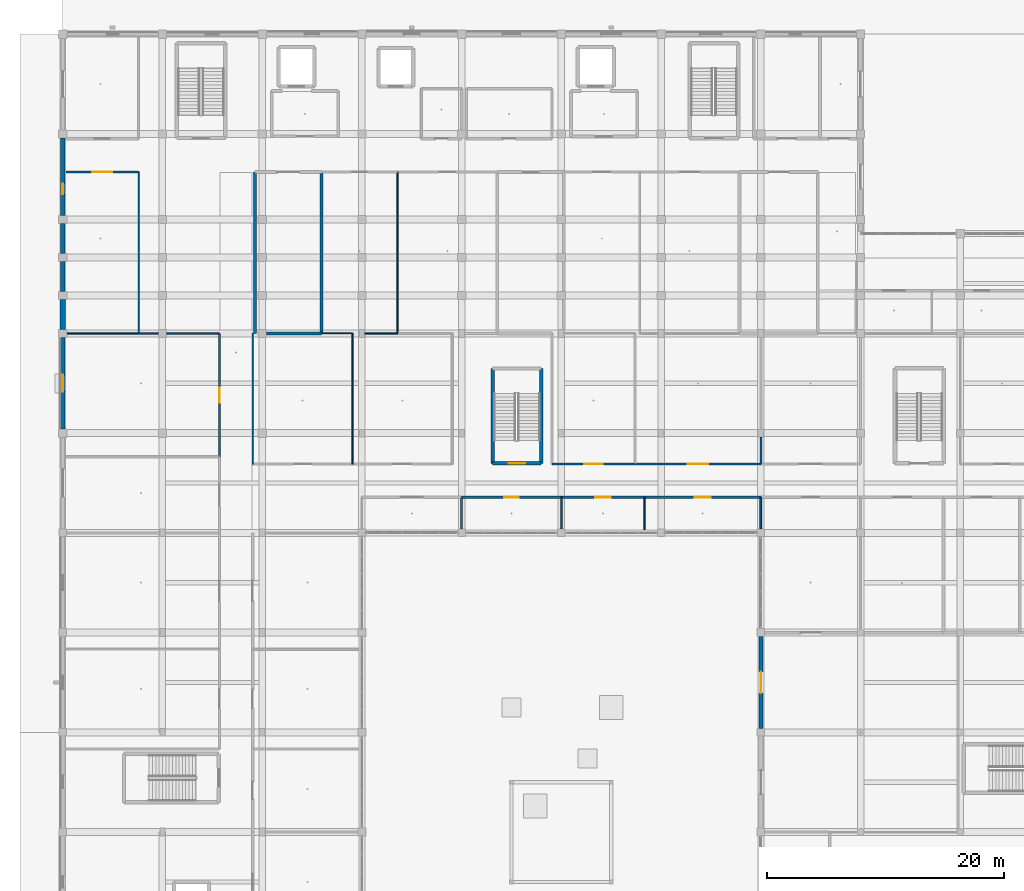
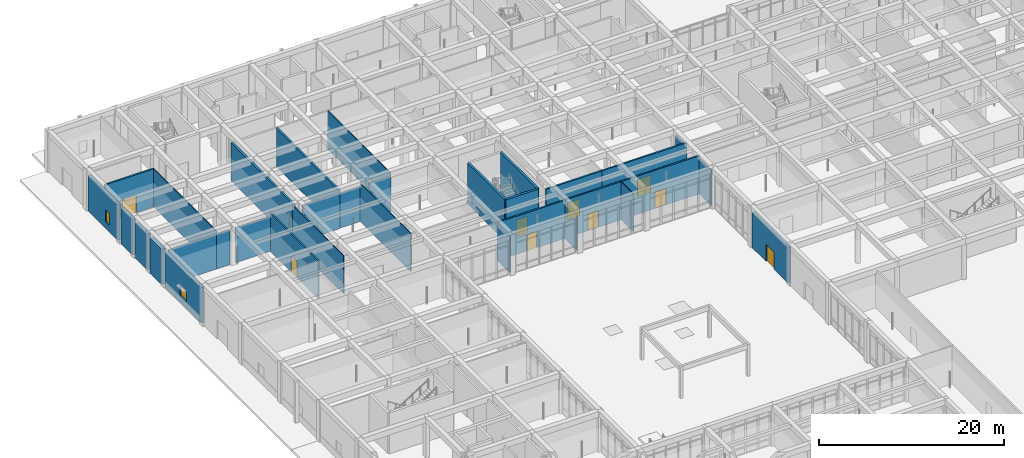
# One storey, part 66 of 167: 33 walls, 9 doors, 2 windows, 11 openings.
"""IFC4 building model written with IfcOpenShell, lengths in metres."""

from ifc_helpers import new_model, si_unit, direction, frame, frame_2d, origin, place, context, subcontext, project, spatial, rectangle, extrude, material, layer, layer_set, type_object, element, fill, save


model = new_model("IFC4")

# Units and contexts
model_context = context("Model", 3, precision=1e-05, world=origin(), true_north=direction((0.0, 1.0)))
body_context = subcontext(model_context, "Body", "Model", "MODEL_VIEW")
ifc_project = project(units=[si_unit("LENGTHUNIT", "METRE"), si_unit("AREAUNIT", "SQUARE_METRE"), si_unit("VOLUMEUNIT", "CUBIC_METRE"), si_unit("PLANEANGLEUNIT", "RADIAN"), si_unit("MASSUNIT", "GRAM", prefix="KILO")], contexts=[model_context])

# Site, building, storey
site_placement = place(None, origin())
site = spatial("IfcSite", under=ifc_project, at=site_placement, CompositionType="ELEMENT")
building_placement = place(site_placement, origin())
building = spatial("IfcBuilding", under=site, at=building_placement, Name="Varncliffe General Hospital", CompositionType="ELEMENT")
storey_placement = place(building_placement, origin())
storey = spatial("IfcBuildingStorey", under=building, at=storey_placement, Name="L00", CompositionType="ELEMENT", Elevation=0.0)

# Wall, opening, window
ifc_material_1 = material(Name="Precast concrete C40/50 with insulated cream lime-cement stucco", Category="concrete")
ifc_layer_1 = layer(ifc_material_1, 0.3798828125)
ifc_layer_set_1 = layer_set([ifc_layer_1], Name="Precast concrete C40/50 with insulated cream lime-cement stucco")
wall_type_1 = type_object("IfcWallType", Name="Exterior Insulated Stucco Wall EW26 (380mm)", PredefinedType="SOLIDWALL", material=ifc_layer_set_1)
wall_1_placement = place(storey_placement, frame((0.0, 91.548095703125, 0.0), z_axis=(0.0, 0.0, 1.0), x_axis=(0.0, 1.0, 0.0)))
wall_1 = element("IfcWall", 1, at=wall_1_placement, inside=storey, type_object=wall_type_1, Name="L00 Exterior Stucco Wall EW26-7", PredefinedType="SOLIDWALL", context=body_context, shape_type="SweptSolid", body=[
    extrude(rectangle(XDim=7.703857421875, YDim=0.3798828125, at=frame_2d((3.85205078125, 0.0))), origin(), (0.0, 0.0, 1.0), 4.679931640625),
])
opening_1_placement = place(wall_1_placement, frame((3.152099609375, 0.0, 0.89990234375)))
opening_1 = element("IfcOpeningElement", 2, at=opening_1_placement, cuts=wall_1, Name="Opening WN76", PredefinedType="OPENING", context=body_context, shape_type="SweptSolid", body=[
    extrude(rectangle(XDim=1.39990234375, YDim=1.39990234375, at=frame_2d((0.699951171875, 0.699951171875))), frame((0.0, 0.199951171875, 0.0), z_axis=(0.0, -1.0, 0.0), x_axis=(1.0, 0.0, 0.0)), (0.0, 0.0, 1.0), 0.39990234375),
])
ifc_material_2 = material(Name="Triple low-E argon insulated vision glazing", Category="glass")
window_type_1 = type_object("IfcWindowType", Name="Triple-Glazed Hospital Window WN76 (1400x1400)", PartitioningType="SINGLE_PANEL", PredefinedType="WINDOW", material=ifc_material_2)
window_1_placement = place(opening_1_placement, origin())
window_1 = element("IfcWindow", 3, at=window_1_placement, inside=storey, type_object=window_type_1, Name="L00 Hospital Window WN76-6", OverallHeight=1.39990234375, OverallWidth=1.39990234375, PartitioningType="SINGLE_PANEL", PredefinedType="WINDOW", context=body_context, shape_type="SweptSolid", body=[
    extrude(rectangle(XDim=1.39990234375, YDim=1.39990234375, at=frame_2d((0.699951171875, 0.699951171875))), frame((0.0, 0.030029296875, 0.0), z_axis=(0.0, -1.0, 0.0), x_axis=(1.0, 0.0, 0.0)), (0.0, 0.0, 1.0), 0.06005859375),
])
fill(opening_1, window_1)

# Walls
wall_2_placement = place(storey_placement, frame((0.0, 106.347900390625, 0.0), z_axis=(0.0, 0.0, 1.0), x_axis=(0.0, 1.0, 0.0)))
element("IfcWall", 4, at=wall_2_placement, inside=storey, type_object=wall_type_1, Name="L00 Exterior Stucco Wall EW26-10", PredefinedType="SOLIDWALL", context=body_context, shape_type="SweptSolid", body=[
    extrude(rectangle(XDim=2.504150390625, YDim=0.3798828125, at=frame_2d((1.251953125, 0.0))), origin(), (0.0, 0.0, 1.0), 4.679931640625),
])
ifc_material_3 = material(Name="Concrete C40/50 (CSA A23.1 40 MPa)", Category="concrete")
ifc_layer_2 = layer(ifc_material_3, 0.449951171875)
ifc_layer_set_2 = layer_set([ifc_layer_2], Name="Concrete C40/50 (CSA A23.1 40 MPa)")
wall_type_2 = type_object("IfcWallType", Name="Exterior Insulated Stucco Wall EW36 (450mm)", PredefinedType="SOLIDWALL", material=ifc_layer_set_2)
wall_3_placement = place(storey_placement, frame((0.0, 99.947998046875, 0.0), z_axis=(0.0, 0.0, 1.0), x_axis=(0.0, 1.0, 0.0)))
element("IfcWall", 5, at=wall_3_placement, inside=storey, type_object=wall_type_2, Name="L00 Exterior Stucco Wall EW36-8", PredefinedType="SOLIDWALL", context=body_context, shape_type="SweptSolid", body=[
    extrude(rectangle(XDim=2.50390625, YDim=0.449951171875, at=frame_2d((1.251953125, 0.0))), origin(), (0.0, 0.0, 1.0), 4.679931640625),
])

# Wall, opening, window
ifc_layer_3 = layer(ifc_material_1, 0.35009765625)
ifc_layer_set_3 = layer_set([ifc_layer_3], Name="Precast concrete C40/50 with insulated cream lime-cement stucco")
wall_type_3 = type_object("IfcWallType", Name="Exterior Insulated Stucco Wall EW37 (350mm)", PredefinedType="SOLIDWALL", material=ifc_layer_set_3)
wall_4_placement = place(storey_placement, frame((0.0, 109.548095703125, 0.0), z_axis=(0.0, 0.0, 1.0), x_axis=(0.0, 1.0, 0.0)))
wall_4 = element("IfcWall", 6, at=wall_4_placement, inside=storey, type_object=wall_type_3, Name="L00 Exterior Stucco Wall EW37-11", PredefinedType="SOLIDWALL", context=body_context, shape_type="SweptSolid", body=[
    extrude(rectangle(XDim=6.50390625, YDim=0.35009765625, at=frame_2d((3.251953125, 0.0))), origin(), (0.0, 0.0, 1.0), 4.679931640625),
])
opening_2_placement = place(wall_4_placement, frame((1.76708984375, 0.0, 0.89990234375)))
opening_2 = element("IfcOpeningElement", 7, at=opening_2_placement, cuts=wall_4, Name="Opening WN45", PredefinedType="OPENING", context=body_context, shape_type="SweptSolid", body=[
    extrude(rectangle(XDim=0.89990234375, YDim=1.550048828125, at=frame_2d((0.449951171875, 0.77490234375))), frame((0.0, 0.18505859375, 0.0), z_axis=(0.0, -1.0, 0.0), x_axis=(1.0, 0.0, 0.0)), (0.0, 0.0, 1.0), 0.3701171875),
])
window_type_2 = type_object("IfcWindowType", Name="Triple-Glazed Hospital Window WN45 (900x1550)", PartitioningType="SINGLE_PANEL", PredefinedType="WINDOW", material=ifc_material_2)
window_2_placement = place(opening_2_placement, origin())
window_2 = element("IfcWindow", 8, at=window_2_placement, inside=storey, type_object=window_type_2, Name="L00 Hospital Window WN45-7", OverallHeight=1.550048828125, OverallWidth=0.89990234375, PartitioningType="SINGLE_PANEL", PredefinedType="WINDOW", context=body_context, shape_type="SweptSolid", body=[
    extrude(rectangle(XDim=0.89990234375, YDim=1.550048828125, at=frame_2d((0.449951171875, 0.77490234375))), frame((0.0, 0.030029296875, 0.0), z_axis=(0.0, -1.0, 0.0), x_axis=(1.0, 0.0, 0.0)), (0.0, 0.0, 1.0), 0.06005859375),
])
fill(opening_2, window_2)

# Wall, opening, door
wall_5_placement = place(storey_placement, frame((58.800048828125, 66.322998046875, 0.0), z_axis=(0.0, 0.0, 1.0), x_axis=(0.0, 1.0, 0.0)))
wall_5 = element("IfcWall", 9, at=wall_5_placement, inside=storey, type_object=wall_type_3, Name="L00 Exterior Stucco Wall EW37-83", PredefinedType="SOLIDWALL", context=body_context, shape_type="SweptSolid", body=[
    extrude(rectangle(XDim=7.75390625, YDim=0.35009765625, at=frame_2d((3.876953125, 0.0))), origin(), (0.0, 0.0, 1.0), 4.679931640625),
])
opening_3_placement = place(wall_5_placement, frame((2.97705078125, 0.0, 0.0)))
opening_3 = element("IfcOpeningElement", 10, at=opening_3_placement, cuts=wall_5, Name="Opening DE28", PredefinedType="OPENING", context=body_context, shape_type="SweptSolid", body=[
    extrude(rectangle(XDim=1.800048828125, YDim=2.25, at=frame_2d((0.89990234375, 1.125))), frame((0.0, 0.18505859375, 0.0), z_axis=(0.0, -1.0, 0.0), x_axis=(1.0, 0.0, 0.0)), (0.0, 0.0, 1.0), 0.3701171875),
])
ifc_material_4 = material(Name="Thermally broken bronze-anodized aluminium and safety glass door", Category="aluminium")
door_type_1 = type_object("IfcDoorType", Name="Exterior Pedestrian Door DE28 (1800x2250)", OperationType="NOTDEFINED", PredefinedType="DOOR", material=ifc_material_4)
door_1_placement = place(opening_3_placement, origin())
door_1 = element("IfcDoor", 11, at=door_1_placement, inside=storey, type_object=door_type_1, Name="Main Pedestrian Entrance and Final Exit Door FE-29", OperationType="DOUBLE_DOOR_SINGLE_SWING", OverallHeight=2.25, OverallWidth=1.800048828125, PredefinedType="DOOR", context=body_context, shape_type="SweptSolid", body=[
    extrude(rectangle(XDim=1.800048828125, YDim=2.25, at=frame_2d((0.89990234375, 1.125))), frame((0.0, 0.02490234375, 0.0), z_axis=(0.0, -1.0, 0.0), x_axis=(1.0, 0.0, 0.0)), (0.0, 0.0, 1.0), 0.050048828125),
])
fill(opening_3, door_1)

# Walls
ifc_layer_4 = layer(ifc_material_1, 0.39990234375)
ifc_layer_set_4 = layer_set([ifc_layer_4], Name="Precast concrete C40/50 with insulated cream lime-cement stucco")
wall_type_4 = type_object("IfcWallType", Name="Exterior Insulated Stucco Wall EW47 (400mm)", PredefinedType="SOLIDWALL", material=ifc_layer_set_4)
wall_6_placement = place(storey_placement, frame((0.0, 103.14794921875, 0.0), z_axis=(0.0, 0.0, 1.0), x_axis=(0.0, 1.0, 0.0)))
element("IfcWall", 12, at=wall_6_placement, inside=storey, type_object=wall_type_4, Name="L00 Exterior Stucco Wall EW47-9", PredefinedType="SOLIDWALL", context=body_context, shape_type="SweptSolid", body=[
    extrude(rectangle(XDim=2.504150390625, YDim=0.39990234375, at=frame_2d((1.251953125, 0.0))), origin(), (0.0, 0.0, 1.0), 4.679931640625),
])
ifc_material_5 = material(Name="Acoustic clinical gypsum stud partition assembly", Category="gypsum")
ifc_layer_5 = layer(ifc_material_5, 0.1298828125)
ifc_layer_set_5 = layer_set([ifc_layer_5], Name="Acoustic clinical gypsum stud partition assembly")
wall_type_5 = type_object("IfcWallType", Name="Interior Partitioning IW11 (130mm)", PredefinedType="PARTITIONING", material=ifc_layer_set_5)
wall_7_placement = place(storey_placement, frame((8.764892578125, 99.60009765625, 0.0), z_axis=(0.0, 0.0, 1.0), x_axis=(1.0, 0.0, 0.0)))
element("IfcWall", 13, at=wall_7_placement, inside=storey, type_object=wall_type_5, Name="L00 Interior Partition Wall IW11-178", PredefinedType="PARTITIONING", context=body_context, shape_type="SweptSolid", body=[
    extrude(rectangle(XDim=4.43505859375, YDim=0.1298828125, at=frame_2d((2.217529296875, 0.0))), origin(), (0.0, 0.0, 1.0), 4.635009765625),
])
wall_8_placement = place(storey_placement, frame((6.39990234375, 99.60009765625, 0.0), z_axis=(0.0, 0.0, 1.0), x_axis=(1.0, 0.0, 0.0)))
element("IfcWall", 14, at=wall_8_placement, inside=storey, type_object=wall_type_5, Name="L00 Interior Partition Wall IW11-179", PredefinedType="PARTITIONING", context=body_context, shape_type="SweptSolid", body=[
    extrude(rectangle(XDim=1.635009765625, YDim=0.1298828125, at=frame_2d((0.8173828125, 0.0))), origin(), (0.0, 0.0, 1.0), 4.635009765625),
])
wall_9_placement = place(storey_placement, frame((42.0, 83.139892578125, 0.0), z_axis=(0.0, 0.0, 1.0), x_axis=(0.0, 1.0, 0.0)))
element("IfcWall", 15, at=wall_9_placement, inside=storey, type_object=wall_type_5, Name="L00 Interior Partition Wall IW11-303", PredefinedType="PARTITIONING", context=body_context, shape_type="SweptSolid", body=[
    extrude(rectangle(XDim=2.66015625, YDim=0.1298828125, at=frame_2d((1.330078125, 0.0))), origin(), (0.0, 0.0, 1.0), 4.68505859375),
])
ifc_layer_6 = layer(ifc_material_5, 0.169921875)
ifc_layer_set_6 = layer_set([ifc_layer_6], Name="Acoustic clinical gypsum stud partition assembly")
wall_type_6 = type_object("IfcWallType", Name="Interior Partitioning IW20 (170mm)", PredefinedType="PARTITIONING", material=ifc_layer_set_6)
wall_10_placement = place(storey_placement, frame((33.60009765625, 83.139892578125, 0.0), z_axis=(0.0, 0.0, 1.0), x_axis=(0.0, 1.0, 0.0)))
element("IfcWall", 16, at=wall_10_placement, inside=storey, type_object=wall_type_6, Name="L00 Interior Partition Wall IW20-295", PredefinedType="PARTITIONING", context=body_context, shape_type="SweptSolid", body=[
    extrude(rectangle(XDim=2.66015625, YDim=0.169921875, at=frame_2d((1.330078125, 0.0))), origin(), (0.0, 0.0, 1.0), 4.68505859375),
])
wall_11_placement = place(storey_placement, frame((58.800048828125, 88.60009765625, 0.0), z_axis=(0.0, 0.0, 1.0), x_axis=(0.0, 1.0, 0.0)))
element("IfcWall", 17, at=wall_11_placement, inside=storey, type_object=wall_type_6, Name="L00 Interior Partition Wall IW20-321", PredefinedType="PARTITIONING", context=body_context, shape_type="SweptSolid", body=[
    extrude(rectangle(XDim=2.260009765625, YDim=0.169921875, at=frame_2d((1.1298828125, 0.0))), origin(), (0.0, 0.0, 1.0), 4.68505859375),
])
ifc_layer_7 = layer(ifc_material_5, 0.14990234375)
ifc_layer_set_7 = layer_set([ifc_layer_7], Name="Acoustic clinical gypsum stud partition assembly")
wall_type_7 = type_object("IfcWallType", Name="Interior Partitioning IW35 (150mm)", PredefinedType="PARTITIONING", material=ifc_layer_set_7)
wall_12_placement = place(storey_placement, frame((58.800048828125, 83.139892578125, 0.0), z_axis=(0.0, 0.0, 1.0), x_axis=(0.0, 1.0, 0.0)))
element("IfcWall", 18, at=wall_12_placement, inside=storey, type_object=wall_type_7, Name="L00 Interior Partition Wall IW35-319", PredefinedType="PARTITIONING", context=body_context, shape_type="SweptSolid", body=[
    extrude(rectangle(XDim=2.66015625, YDim=0.14990234375, at=frame_2d((1.330078125, 0.0))), origin(), (0.0, 0.0, 1.0), 4.68505859375),
])
ifc_layer_8 = layer(ifc_material_5, 0.090087890625)
ifc_layer_set_8 = layer_set([ifc_layer_8], Name="Acoustic clinical gypsum stud partition assembly")
wall_type_8 = type_object("IfcWallType", Name="Interior Partitioning IW42 (90mm)", PredefinedType="PARTITIONING", material=ifc_layer_set_8)
wall_13_placement = place(storey_placement, frame((21.800048828125, 99.60009765625, 0.0), z_axis=(0.0, 0.0, 1.0), x_axis=(1.0, 0.0, 0.0)))
element("IfcWall", 19, at=wall_13_placement, inside=storey, type_object=wall_type_8, Name="L00 Interior Partition Wall IW42-181", PredefinedType="PARTITIONING", context=body_context, shape_type="SweptSolid", body=[
    extrude(rectangle(XDim=2.599853515625, YDim=0.090087890625, at=frame_2d((1.2998046875, 0.0))), origin(), (0.0, 0.0, 1.0), 4.635009765625),
])
ifc_layer_9 = layer(ifc_material_5, 0.110107421875)
ifc_layer_set_9 = layer_set([ifc_layer_9], Name="Acoustic clinical gypsum stud partition assembly")
wall_type_9 = type_object("IfcWallType", Name="Interior Partitioning IW65 (110mm)", PredefinedType="PARTITIONING", material=ifc_layer_set_9)
wall_14_placement = place(storey_placement, frame((0.364990234375, 99.60009765625, 0.0), z_axis=(0.0, 0.0, 1.0), x_axis=(1.0, 0.0, 0.0)))
element("IfcWall", 20, at=wall_14_placement, inside=storey, type_object=wall_type_9, Name="L00 Interior Partition Wall IW65-177", PredefinedType="PARTITIONING", context=body_context, shape_type="SweptSolid", body=[
    extrude(rectangle(XDim=6.034912109375, YDim=0.110107421875, at=frame_2d((3.017578125, 0.0))), origin(), (0.0, 0.0, 1.0), 4.635009765625),
])
wall_15_placement = place(storey_placement, frame((25.43994140625, 99.60009765625, 0.0), z_axis=(0.0, 0.0, 1.0), x_axis=(1.0, 0.0, 0.0)))
element("IfcWall", 21, at=wall_15_placement, inside=storey, type_object=wall_type_9, Name="L00 Interior Partition Wall IW65-182", PredefinedType="PARTITIONING", context=body_context, shape_type="SweptSolid", body=[
    extrude(rectangle(XDim=2.760009765625, YDim=0.110107421875, at=frame_2d((1.3798828125, 0.0))), origin(), (0.0, 0.0, 1.0), 4.635009765625),
])
wall_16_placement = place(storey_placement, frame((6.39990234375, 99.60009765625, 0.0), z_axis=(0.0, 0.0, 1.0), x_axis=(0.0, 1.0, 0.0)))
element("IfcWall", 22, at=wall_16_placement, inside=storey, type_object=wall_type_9, Name="L00 Interior Partition Wall IW65-267", PredefinedType="PARTITIONING", context=body_context, shape_type="SweptSolid", body=[
    extrude(rectangle(XDim=13.599853515625, YDim=0.110107421875, at=frame_2d((6.7998046875, 0.0))), origin(), (0.0, 0.0, 1.0), 5.0400390625),
])
for number, where, z_axis, x_axis, name in (
    (23, (16.0, 88.60009765625, 0.0), (0.0, 0.0, 1.0), (0.0, 1.0, 0.0), "L00 Interior Partition Wall IW65-282"),
    (24, (24.39990234375, 88.60009765625, 0.0), (0.0, 0.0, 1.0), (0.0, 1.0, 0.0), "L00 Interior Partition Wall IW65-287"),
):
    element("IfcWall", number, at=place(storey_placement, frame(where, z_axis=z_axis, x_axis=x_axis)), inside=storey, type_object=wall_type_9, Name=name, PredefinedType="PARTITIONING", context=body_context, shape_type="SweptSolid", body=[
        extrude(rectangle(XDim=11.0, YDim=0.110107421875, at=frame_2d((5.5, 0.0))), origin(), (0.0, 0.0, 1.0), 5.0400390625),
    ])
wall_17_placement = place(storey_placement, frame((28.199951171875, 99.60009765625, 0.0), z_axis=(0.0, 0.0, 1.0), x_axis=(0.0, 1.0, 0.0)))
element("IfcWall", 25, at=wall_17_placement, inside=storey, type_object=wall_type_9, Name="L00 Interior Partition Wall IW65-292", PredefinedType="PARTITIONING", context=body_context, shape_type="SweptSolid", body=[
    extrude(rectangle(XDim=13.599853515625, YDim=0.110107421875, at=frame_2d((6.7998046875, 0.0))), origin(), (0.0, 0.0, 1.0), 5.0400390625),
])
wall_18_placement = place(storey_placement, frame((49.0, 83.06005859375, 0.0), z_axis=(0.0, 0.0, 1.0), x_axis=(0.0, 1.0, 0.0)))
element("IfcWall", 26, at=wall_18_placement, inside=storey, type_object=wall_type_9, Name="L00 Interior Partition Wall IW65-312", PredefinedType="PARTITIONING", context=body_context, shape_type="SweptSolid", body=[
    extrude(rectangle(XDim=2.739990234375, YDim=0.110107421875, at=frame_2d((1.3701171875, 0.0))), origin(), (0.0, 0.0, 1.0), 5.0400390625),
])
ifc_material_6 = material(Name="Fire-rated gypsum and mineral-wool partition assembly", Category="gypsum")
ifc_layer_10 = layer(ifc_material_6, 0.25)
ifc_layer_set_10 = layer_set([ifc_layer_10], Name="Fire-rated gypsum and mineral-wool partition assembly")
wall_type_10 = type_object("IfcWallType", Name="Interior Partitioning PW38 (250mm)", PredefinedType="PARTITIONING", material=ifc_layer_set_10)
for number, where, z_axis, x_axis, name in (
    (27, (16.199951171875, 99.60009765625, 0.0), (0.0, 0.0, 1.0), (0.0, 1.0, 0.0), "L00 Interior Partition Wall PW38-283"),
    (28, (21.800048828125, 99.60009765625, 0.0), (0.0, 0.0, 1.0), (0.0, 1.0, 0.0), "L00 Interior Partition Wall PW38-285"),
):
    element("IfcWall", number, at=place(storey_placement, frame(where, z_axis=z_axis, x_axis=x_axis)), inside=storey, type_object=wall_type_10, Name=name, PredefinedType="PARTITIONING", context=body_context, shape_type="SweptSolid", body=[
        extrude(rectangle(XDim=13.599853515625, YDim=0.25, at=frame_2d((6.7998046875, 0.0))), origin(), (0.0, 0.0, 1.0), 5.0400390625),
    ])
ifc_layer_11 = layer(ifc_material_6, 0.22998046875)
ifc_layer_set_11 = layer_set([ifc_layer_11], Name="Fire-rated gypsum and mineral-wool partition assembly")
wall_type_11 = type_object("IfcWallType", Name="Interior Partitioning PW48 (230mm)", PredefinedType="PARTITIONING", material=ifc_layer_set_11)
wall_19_placement = place(storey_placement, frame((17.1650390625, 99.60009765625, 0.0), z_axis=(0.0, 0.0, 1.0), x_axis=(1.0, 0.0, 0.0)))
element("IfcWall", 29, at=wall_19_placement, inside=storey, type_object=wall_type_11, Name="L00 Interior Partition Wall PW48-180", PredefinedType="PARTITIONING", context=body_context, shape_type="SweptSolid", body=[
    extrude(rectangle(XDim=4.635009765625, YDim=0.22998046875, at=frame_2d((2.3173828125, 0.0))), origin(), (0.0, 0.0, 1.0), 4.635009765625),
])

# Wall, opening, door
ifc_layer_12 = layer(ifc_material_6, 0.199951171875)
ifc_layer_set_12 = layer_set([ifc_layer_12], Name="Fire-rated gypsum and mineral-wool partition assembly")
wall_type_12 = type_object("IfcWallType", Name="Interior Partitioning PW63 (200mm)", PredefinedType="PARTITIONING", material=ifc_layer_set_12)
wall_20_placement = place(storey_placement, frame((33.60009765625, 85.800048828125, 0.0), z_axis=(0.0, 0.0, 1.0), x_axis=(1.0, 0.0, 0.0)))
wall_20 = element("IfcWall", 30, at=wall_20_placement, inside=storey, type_object=wall_type_12, Name="L00 Interior Partition Wall PW63-147", PredefinedType="PARTITIONING", context=body_context, shape_type="SweptSolid", body=[
    extrude(rectangle(XDim=8.39990234375, YDim=0.199951171875, at=frame_2d((4.199951171875, 0.0))), origin(), (0.0, 0.0, 1.0), 5.0400390625),
])
opening_4_placement = place(wall_20_placement, frame((3.574951171875, 0.0, 0.0)))
opening_4 = element("IfcOpeningElement", 31, at=opening_4_placement, cuts=wall_20, Name="Opening DC44", PredefinedType="OPENING", context=body_context, shape_type="SweptSolid", body=[
    extrude(rectangle(XDim=1.25, YDim=2.14990234375, at=frame_2d((0.625, 1.074951171875))), frame((0.0, 0.10986328125, 0.0), z_axis=(0.0, -1.0, 0.0), x_axis=(1.0, 0.0, 0.0)), (0.0, 0.0, 1.0), 0.219970703125),
])
ifc_material_7 = material(Name="Fire-rated hospital steel-frame vision-panel door", Category="steel")
door_type_2 = type_object("IfcDoorType", Name="Interior Hospital Door DC44 (1250x2150)", OperationType="NOTDEFINED", PredefinedType="DOOR", material=ifc_material_7)
door_2_placement = place(opening_4_placement, frame((1.25, 0.0, 0.0), z_axis=(0.0, 0.0, 1.0), x_axis=(-1.0, 0.0, 0.0)))
door_2 = element("IfcDoor", 32, at=door_2_placement, inside=storey, type_object=door_type_2, Name="L00 Dual-Source CT Radiology Room 61 Door", OperationType="SINGLE_SWING_RIGHT", OverallHeight=2.14990234375, OverallWidth=1.25, PredefinedType="DOOR", context=body_context, shape_type="SweptSolid", body=[
    extrude(rectangle(XDim=1.25, YDim=2.14990234375, at=frame_2d((0.625, 1.074951171875))), frame((0.0, 0.02490234375, 0.0), z_axis=(0.0, -1.0, 0.0), x_axis=(1.0, 0.0, 0.0)), (0.0, 0.0, 1.0), 0.050048828125),
])
fill(opening_4, door_2)

wall_21_placement = place(storey_placement, frame((42.0, 85.800048828125, 0.0), z_axis=(0.0, 0.0, 1.0), x_axis=(1.0, 0.0, 0.0)))
wall_21 = element("IfcWall", 33, at=wall_21_placement, inside=storey, type_object=wall_type_12, Name="L00 Interior Partition Wall PW63-148", PredefinedType="PARTITIONING", context=body_context, shape_type="SweptSolid", body=[
    extrude(rectangle(XDim=7.0, YDim=0.199951171875, at=frame_2d((3.5, 0.0))), origin(), (0.0, 0.0, 1.0), 5.0400390625),
])
opening_5_placement = place(wall_21_placement, frame((2.85009765625, 0.0, 0.0)))
opening_5 = element("IfcOpeningElement", 34, at=opening_5_placement, cuts=wall_21, Name="Opening DC88", PredefinedType="OPENING", context=body_context, shape_type="SweptSolid", body=[
    extrude(rectangle(XDim=1.300048828125, YDim=2.199951171875, at=frame_2d((0.64990234375, 1.10009765625))), frame((0.0, 0.10986328125, 0.0), z_axis=(0.0, -1.0, 0.0), x_axis=(1.0, 0.0, 0.0)), (0.0, 0.0, 1.0), 0.219970703125),
])
door_type_3 = type_object("IfcDoorType", Name="Interior Hospital Door DC88 (1300x2200)", OperationType="NOTDEFINED", PredefinedType="DOOR", material=ifc_material_7)
door_3_placement = place(opening_5_placement, frame((1.300048828125, 0.0, 0.0), z_axis=(0.0, 0.0, 1.0), x_axis=(-1.0, 0.0, 0.0)))
door_3 = element("IfcDoor", 35, at=door_3_placement, inside=storey, type_object=door_type_3, Name="L00 Nuclear Medicine and Ultrasound Suite 62 Door", OperationType="SINGLE_SWING_LEFT", OverallHeight=2.199951171875, OverallWidth=1.300048828125, PredefinedType="DOOR", context=body_context, shape_type="SweptSolid", body=[
    extrude(rectangle(XDim=1.300048828125, YDim=2.199951171875, at=frame_2d((0.64990234375, 1.10009765625))), frame((0.0, 0.02490234375, 0.0), z_axis=(0.0, -1.0, 0.0), x_axis=(1.0, 0.0, 0.0)), (0.0, 0.0, 1.0), 0.050048828125),
])
fill(opening_5, door_3)

wall_22_placement = place(storey_placement, frame((49.0, 85.800048828125, 0.0), z_axis=(0.0, 0.0, 1.0), x_axis=(1.0, 0.0, 0.0)))
wall_22 = element("IfcWall", 36, at=wall_22_placement, inside=storey, type_object=wall_type_12, Name="L00 Interior Partition Wall PW63-149", PredefinedType="PARTITIONING", context=body_context, shape_type="SweptSolid", body=[
    extrude(rectangle(XDim=9.800048828125, YDim=0.199951171875, at=frame_2d((4.89990234375, 0.0))), origin(), (0.0, 0.0, 1.0), 5.0400390625),
])
opening_6_placement = place(wall_22_placement, frame((4.22509765625, 0.0, 0.0)))
opening_6 = element("IfcOpeningElement", 37, at=opening_6_placement, cuts=wall_22, Name="Opening DC85", PredefinedType="OPENING", context=body_context, shape_type="SweptSolid", body=[
    extrude(rectangle(XDim=1.35009765625, YDim=2.199951171875, at=frame_2d((0.675048828125, 1.10009765625))), frame((0.0, 0.10986328125, 0.0), z_axis=(0.0, -1.0, 0.0), x_axis=(1.0, 0.0, 0.0)), (0.0, 0.0, 1.0), 0.219970703125),
])
door_type_4 = type_object("IfcDoorType", Name="Interior Hospital Door DC85 (1350x2200)", OperationType="NOTDEFINED", PredefinedType="DOOR", material=ifc_material_7)
door_4_placement = place(opening_6_placement, frame((1.35009765625, 0.0, 0.0), z_axis=(0.0, 0.0, 1.0), x_axis=(-1.0, 0.0, 0.0)))
door_4 = element("IfcDoor", 38, at=door_4_placement, inside=storey, type_object=door_type_4, Name="L00 Diagnostic 3T MRI Imaging Suite 63 Door", OperationType="SINGLE_SWING_RIGHT", OverallHeight=2.199951171875, OverallWidth=1.35009765625, PredefinedType="DOOR", context=body_context, shape_type="SweptSolid", body=[
    extrude(rectangle(XDim=1.35009765625, YDim=2.199951171875, at=frame_2d((0.675048828125, 1.10009765625))), frame((0.0, 0.02490234375, 0.0), z_axis=(0.0, -1.0, 0.0), x_axis=(1.0, 0.0, 0.0)), (0.0, 0.0, 1.0), 0.050048828125),
])
fill(opening_6, door_4)

wall_23_placement = place(storey_placement, frame((41.199951171875, 88.60009765625, 0.0), z_axis=(0.0, 0.0, 1.0), x_axis=(1.0, 0.0, 0.0)))
wall_23 = element("IfcWall", 39, at=wall_23_placement, inside=storey, type_object=wall_type_12, Name="L00 Interior Partition Wall PW63-165", PredefinedType="PARTITIONING", context=body_context, shape_type="SweptSolid", body=[
    extrude(rectangle(XDim=7.0, YDim=0.199951171875, at=frame_2d((3.5, 0.0))), origin(), (0.0, 0.0, 1.0), 5.0400390625),
])
opening_7_placement = place(wall_23_placement, frame((2.72509765625, 0.0, 0.0)))
opening_7 = element("IfcOpeningElement", 40, at=opening_7_placement, cuts=wall_23, Name="Opening DC67", PredefinedType="OPENING", context=body_context, shape_type="SweptSolid", body=[
    extrude(rectangle(XDim=1.550048828125, YDim=2.25, at=frame_2d((0.77490234375, 1.125))), frame((0.0, 0.10986328125, 0.0), z_axis=(0.0, -1.0, 0.0), x_axis=(1.0, 0.0, 0.0)), (0.0, 0.0, 1.0), 0.219970703125),
])
door_type_5 = type_object("IfcDoorType", Name="Interior Hospital Door DC67 (1550x2250)", OperationType="NOTDEFINED", PredefinedType="DOOR", material=ifc_material_7)
door_5_placement = place(opening_7_placement, origin())
door_5 = element("IfcDoor", 41, at=door_5_placement, inside=storey, type_object=door_type_5, Name="L00 Nuclear Medicine and Ultrasound Suite 66 Door", OperationType="SINGLE_SWING_RIGHT", OverallHeight=2.25, OverallWidth=1.550048828125, PredefinedType="DOOR", context=body_context, shape_type="SweptSolid", body=[
    extrude(rectangle(XDim=1.550048828125, YDim=2.25, at=frame_2d((0.77490234375, 1.125))), frame((0.0, 0.02490234375, 0.0), z_axis=(0.0, -1.0, 0.0), x_axis=(1.0, 0.0, 0.0)), (0.0, 0.0, 1.0), 0.050048828125),
])
fill(opening_7, door_5)

wall_24_placement = place(storey_placement, frame((48.199951171875, 88.60009765625, 0.0), z_axis=(0.0, 0.0, 1.0), x_axis=(1.0, 0.0, 0.0)))
wall_24 = element("IfcWall", 42, at=wall_24_placement, inside=storey, type_object=wall_type_12, Name="L00 Interior Partition Wall PW63-166", PredefinedType="PARTITIONING", context=body_context, shape_type="SweptSolid", body=[
    extrude(rectangle(XDim=10.60009765625, YDim=0.199951171875, at=frame_2d((5.300048828125, 0.0))), origin(), (0.0, 0.0, 1.0), 5.0400390625),
])
opening_8_placement = place(wall_24_placement, frame((4.449951171875, 0.0, 0.0)))
opening_8 = element("IfcOpeningElement", 43, at=opening_8_placement, cuts=wall_24, Name="Opening DC50", PredefinedType="OPENING", context=body_context, shape_type="SweptSolid", body=[
    extrude(rectangle(XDim=1.699951171875, YDim=2.300048828125, at=frame_2d((0.85009765625, 1.14990234375))), frame((0.0, 0.10986328125, 0.0), z_axis=(0.0, -1.0, 0.0), x_axis=(1.0, 0.0, 0.0)), (0.0, 0.0, 1.0), 0.219970703125),
])
door_type_6 = type_object("IfcDoorType", Name="Interior Hospital Door DC50 (1700x2300)", OperationType="NOTDEFINED", PredefinedType="DOOR", material=ifc_material_7)
door_6_placement = place(opening_8_placement, origin())
door_6 = element("IfcDoor", 44, at=door_6_placement, inside=storey, type_object=door_type_6, Name="L00 Diagnostic 3T MRI Imaging Suite 67 Door", OperationType="SINGLE_SWING_LEFT", OverallHeight=2.300048828125, OverallWidth=1.699951171875, PredefinedType="DOOR", context=body_context, shape_type="SweptSolid", body=[
    extrude(rectangle(XDim=1.699951171875, YDim=2.300048828125, at=frame_2d((0.85009765625, 1.14990234375))), frame((0.0, 0.02490234375, 0.0), z_axis=(0.0, -1.0, 0.0), x_axis=(1.0, 0.0, 0.0)), (0.0, 0.0, 1.0), 0.050048828125),
])
fill(opening_8, door_6)

wall_25_placement = place(storey_placement, frame((0.260009765625, 113.199951171875, 0.0), z_axis=(0.0, 0.0, 1.0), x_axis=(1.0, 0.0, 0.0)))
wall_25 = element("IfcWall", 45, at=wall_25_placement, inside=storey, type_object=wall_type_12, Name="L00 Interior Partition Wall PW63-227", PredefinedType="PARTITIONING", context=body_context, shape_type="SweptSolid", body=[
    extrude(rectangle(XDim=6.139892578125, YDim=0.199951171875, at=frame_2d((3.06982421875, 0.0))), origin(), (0.0, 0.0, 1.0), 5.0400390625),
])
opening_9_placement = place(wall_25_placement, frame((2.219970703125, 0.0, 0.0)))
opening_9 = element("IfcOpeningElement", 46, at=opening_9_placement, cuts=wall_25, Name="Opening DC50", PredefinedType="OPENING", context=body_context, shape_type="SweptSolid", body=[
    extrude(rectangle(XDim=1.699951171875, YDim=2.300048828125, at=frame_2d((0.85009765625, 1.14990234375))), frame((0.0, 0.10986328125, 0.0), z_axis=(0.0, -1.0, 0.0), x_axis=(1.0, 0.0, 0.0)), (0.0, 0.0, 1.0), 0.219970703125),
])
door_7_placement = place(opening_9_placement, frame((1.699951171875, 0.0, 0.0), z_axis=(0.0, 0.0, 1.0), x_axis=(-1.0, 0.0, 0.0)))
door_7 = element("IfcDoor", 47, at=door_7_placement, inside=storey, type_object=door_type_6, Name="L00 Outpatient Phlebotomy and Pre-Admission Clinic 114 Door", OperationType="SINGLE_SWING_LEFT", OverallHeight=2.300048828125, OverallWidth=1.699951171875, PredefinedType="DOOR", context=body_context, shape_type="SweptSolid", body=[
    extrude(rectangle(XDim=1.699951171875, YDim=2.300048828125, at=frame_2d((0.85009765625, 1.14990234375))), frame((0.0, 0.02490234375, 0.0), z_axis=(0.0, -1.0, 0.0), x_axis=(1.0, 0.0, 0.0)), (0.0, 0.0, 1.0), 0.050048828125),
])
fill(opening_9, door_7)

wall_26_placement = place(storey_placement, frame((13.199951171875, 89.199951171875, 0.0), z_axis=(0.0, 0.0, 1.0), x_axis=(0.0, 1.0, 0.0)))
wall_26 = element("IfcWall", 48, at=wall_26_placement, inside=storey, type_object=wall_type_12, Name="L00 Interior Partition Wall PW63-276", PredefinedType="PARTITIONING", context=body_context, shape_type="SweptSolid", body=[
    extrude(rectangle(XDim=10.400146484375, YDim=0.199951171875, at=frame_2d((5.2001953125, 0.0))), origin(), (0.0, 0.0, 1.0), 5.0400390625),
])
opening_10_placement = place(wall_26_placement, frame((4.574951171875, 0.0, 0.0)))
opening_10 = element("IfcOpeningElement", 49, at=opening_10_placement, cuts=wall_26, Name="Opening DC44", PredefinedType="OPENING", context=body_context, shape_type="SweptSolid", body=[
    extrude(rectangle(XDim=1.25, YDim=2.14990234375, at=frame_2d((0.625, 1.074951171875))), frame((0.0, 0.10986328125, 0.0), z_axis=(0.0, -1.0, 0.0), x_axis=(1.0, 0.0, 0.0)), (0.0, 0.0, 1.0), 0.219970703125),
])
door_8_placement = place(opening_10_placement, origin())
door_8 = element("IfcDoor", 50, at=door_8_placement, inside=storey, type_object=door_type_2, Name="L00 Rehabilitation Ambulation Training Room 138 Door", OperationType="SINGLE_SWING_RIGHT", OverallHeight=2.14990234375, OverallWidth=1.25, PredefinedType="DOOR", context=body_context, shape_type="SweptSolid", body=[
    extrude(rectangle(XDim=1.25, YDim=2.14990234375, at=frame_2d((0.625, 1.074951171875))), frame((0.0, 0.02490234375, 0.0), z_axis=(0.0, -1.0, 0.0), x_axis=(1.0, 0.0, 0.0)), (0.0, 0.0, 1.0), 0.050048828125),
])
fill(opening_10, door_8)

# Walls
ifc_layer_13 = layer(ifc_material_3, 0.280029296875)
ifc_layer_set_13 = layer_set([ifc_layer_13], Name="Concrete C40/50 (CSA A23.1 40 MPa)")
wall_type_13 = type_object("IfcWallType", Name="Reinforced Concrete Core Shear Wall CW13 (280mm)", PredefinedType="SHEAR", material=ifc_layer_set_13)
for number, where, z_axis, x_axis, name in (
    (51, (40.2900390625, 88.659912109375, 0.0), (0.0, 0.0, 1.0), (0.0, 1.0, 0.0), "L00 ST13 Core Shear Wall L"),
    (52, (36.2099609375, 96.639892578125, 0.0), (0.0, 0.0, 1.0), (0.0, -1.0, 0.0), "L00 ST13 Core Shear Wall R"),
):
    element("IfcWall", number, at=place(storey_placement, frame(where, z_axis=z_axis, x_axis=x_axis)), inside=storey, type_object=wall_type_13, Name=name, PredefinedType="SHEAR", context=body_context, shape_type="SweptSolid", body=[
        extrude(rectangle(XDim=7.97998046875, YDim=0.280029296875, at=frame_2d((3.989990234375, 0.0))), origin(), (0.0, 0.0, 1.0), 5.39990234375),
    ])

# Wall, opening, door
wall_27_placement = place(storey_placement, frame((36.2099609375, 88.659912109375, 0.0), z_axis=(0.0, 0.0, 1.0), x_axis=(1.0, 0.0, 0.0)))
wall_27 = element("IfcWall", 53, at=wall_27_placement, inside=storey, type_object=wall_type_13, Name="L00 ST13 Core Shear Wall N", PredefinedType="SHEAR", context=body_context, shape_type="SweptSolid", body=[
    extrude(rectangle(XDim=4.080078125, YDim=0.280029296875, at=frame_2d((2.0400390625, 0.0))), origin(), (0.0, 0.0, 1.0), 5.39990234375),
])
opening_11_placement = place(wall_27_placement, frame((1.340087890625, 0.0, 0.0)))
opening_11 = element("IfcOpeningElement", 54, at=opening_11_placement, cuts=wall_27, Name="Opening DF81", PredefinedType="OPENING", context=body_context, shape_type="SweptSolid", body=[
    extrude(rectangle(XDim=1.39990234375, YDim=2.199951171875, at=frame_2d((0.699951171875, 1.10009765625))), frame((0.0, 0.14990234375, 0.0), z_axis=(0.0, -1.0, 0.0), x_axis=(1.0, 0.0, 0.0)), (0.0, 0.0, 1.0), 0.300048828125),
])
door_type_7 = type_object("IfcDoorType", Name="Interior Hospital Door DF81 (1400x2200)", OperationType="NOTDEFINED", PredefinedType="DOOR", material=ifc_material_7)
door_9_placement = place(opening_11_placement, origin())
door_9 = element("IfcDoor", 55, at=door_9_placement, inside=storey, type_object=door_type_7, Name="L00 ST13 Protected Exit Stair Door", OperationType="SINGLE_SWING_RIGHT", OverallHeight=2.199951171875, OverallWidth=1.39990234375, PredefinedType="DOOR", context=body_context, shape_type="SweptSolid", body=[
    extrude(rectangle(XDim=1.39990234375, YDim=2.199951171875, at=frame_2d((0.699951171875, 1.10009765625))), frame((0.0, 0.02490234375, 0.0), z_axis=(0.0, -1.0, 0.0), x_axis=(1.0, 0.0, 0.0)), (0.0, 0.0, 1.0), 0.050048828125),
])
fill(opening_11, door_9)

save(model, "model.ifc")
